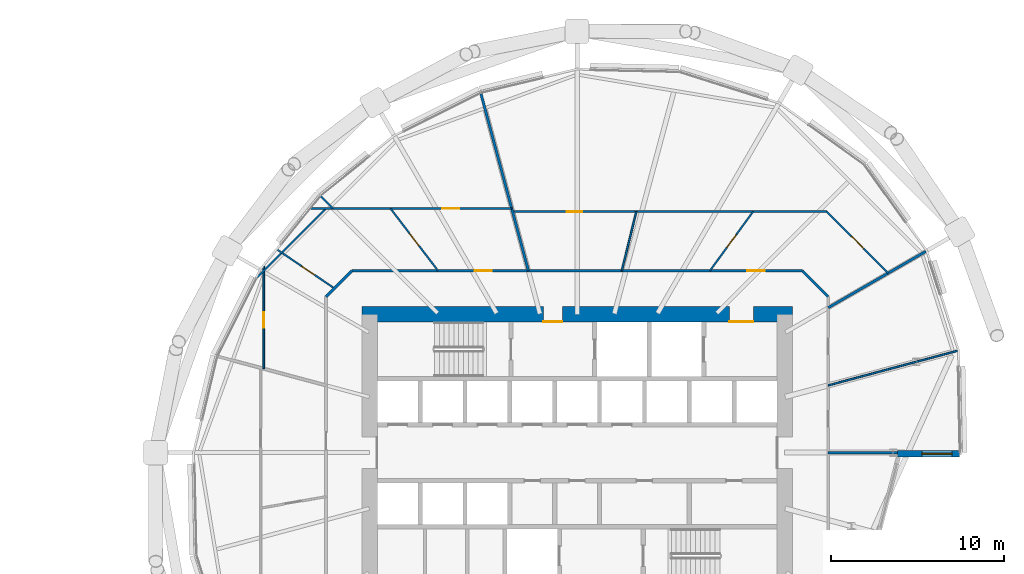
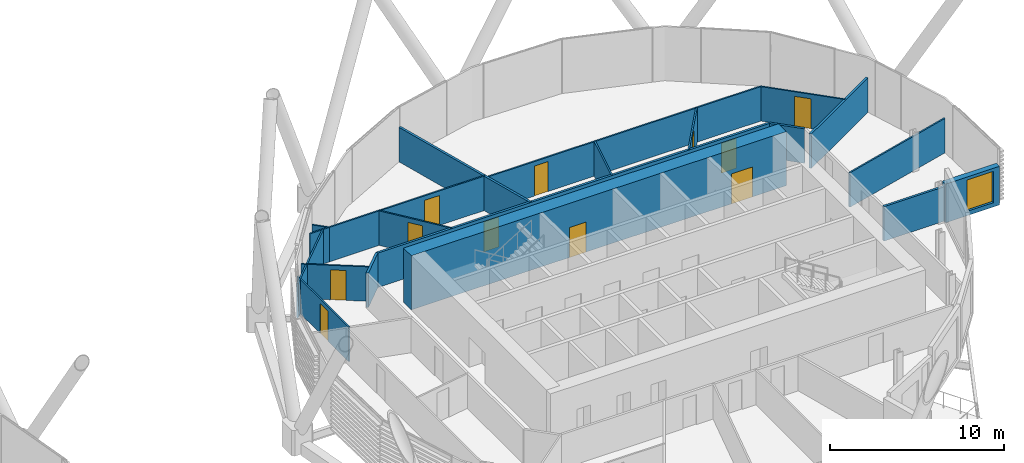
# One storey, part 25 of 36: 20 walls, 11 doors, 1 window, 12 openings.
"""IFC4 building model written with IfcOpenShell, lengths in metres."""

from ifc_helpers import new_model, si_unit, direction, frame, frame_2d, origin, place, context, subcontext, project, spatial, rectangle, extrude, material, layer, layer_set, type_object, element, fill, save


model = new_model("IFC4")

# Units and contexts
model_context = context("Model", 3, precision=1e-05, world=origin(), true_north=direction((0.0, 1.0)))
body_context = subcontext(model_context, "Body", "Model", "MODEL_VIEW")
ifc_project = project(units=[si_unit("LENGTHUNIT", "METRE"), si_unit("AREAUNIT", "SQUARE_METRE"), si_unit("VOLUMEUNIT", "CUBIC_METRE"), si_unit("PLANEANGLEUNIT", "RADIAN"), si_unit("MASSUNIT", "GRAM", prefix="KILO")], contexts=[model_context])

# Site, building, storey
site_placement = place(None, origin())
site = spatial("IfcSite", under=ifc_project, at=site_placement, CompositionType="ELEMENT")
building_placement = place(site_placement, origin())
building = spatial("IfcBuilding", under=site, at=building_placement, Name="Rimbun Link Towers", CompositionType="ELEMENT")
storey_placement = place(building_placement, frame((0.0, 0.0, 64.199951171875)))
storey = spatial("IfcBuildingStorey", under=building, at=storey_placement, Name="L15", CompositionType="ELEMENT", Elevation=64.199951171875)

# Wall, opening, window
ifc_material_1 = material(Name="Dark enamelled glass spandrel on insulated aluminium backpan", Category="aluminium")
ifc_layer_1 = layer(ifc_material_1, 0.3701171875)
ifc_layer_set_1 = layer_set([ifc_layer_1], Name="CS dark enamelled spandrel wall 370")
wall_type_1 = type_object("IfcWallType", Name="CS dark enamelled spandrel wall 370", PredefinedType="STANDARD", material=ifc_layer_set_1)
wall_1_placement = place(storey_placement, frame((53.85888671875, -0.06494140625, 0.0), z_axis=(0.0, 0.0, 1.0), x_axis=(-1.0, 0.0, 0.0)))
wall_1 = element("IfcWall", 1, at=wall_1_placement, inside=storey, type_object=wall_type_1, Name="Crease spandrel wall", PredefinedType="STANDARD", context=body_context, shape_type="SweptSolid", body=[
    extrude(rectangle(XDim=3.579833984375, YDim=0.3701171875, at=frame_2d((1.7900390625, 0.0))), origin(), (0.0, 0.0, 1.0), 2.711669921875),
])
opening_1_placement = place(wall_1_placement, frame((0.41943359375, 0.0, 0.300048828125)))
opening_1 = element("IfcOpeningElement", 2, at=opening_1_placement, cuts=wall_1, Name="Opening WR18H220", PredefinedType="OPENING", context=body_context, shape_type="SweptSolid", body=[
    extrude(rectangle(XDim=1.75, YDim=2.199951171875, at=frame_2d((0.875, 1.10009765625))), frame((0.0, 0.195068359375, 0.0), z_axis=(0.0, -1.0, 0.0), x_axis=(1.0, 0.0, 0.0)), (0.0, 0.0, 1.0), 0.39013671875),
])
ifc_material_2 = material(Name="Aluminium framed fixed window, dark tinted low-e glass", Category="aluminium")
window_type = type_object("IfcWindowType", Name="WR ribbon window 1750X2200", PartitioningType="SINGLE_PANEL", PredefinedType="WINDOW", material=ifc_material_2)
window_placement = place(opening_1_placement, origin())
window = element("IfcWindow", 3, at=window_placement, inside=storey, type_object=window_type, Name="Crease ribbon window", OverallHeight=2.199951171875, OverallWidth=1.75, PartitioningType="SINGLE_PANEL", PredefinedType="WINDOW", context=body_context, shape_type="SweptSolid", body=[
    extrude(rectangle(XDim=1.75, YDim=2.199951171875, at=frame_2d((0.875, 1.10009765625))), frame((0.0, 0.030029296875, 0.0), z_axis=(0.0, -1.0, 0.0), x_axis=(1.0, 0.0, 0.0)), (0.0, 0.0, 1.0), 0.06005859375),
])
fill(opening_1, window)

# Wall, openings, doors
ifc_material_3 = material(Name="Concrete C60/75", Category="concrete")
ifc_layer_2 = layer(ifc_material_3, 0.89990234375)
ifc_layer_set_2 = layer_set([ifc_layer_2], Name="Core shear wall 900")
wall_type_2 = type_object("IfcWallType", Name="Core shear wall 900", PredefinedType="SHEAR", material=ifc_layer_set_2)
wall_2_placement = place(storey_placement, frame((19.300048828125, 8.0, 0.0), z_axis=(0.0, 0.0, 1.0), x_axis=(1.0, 0.0, 0.0)))
wall_2 = element("IfcWall", 4, at=wall_2_placement, inside=storey, type_object=wall_type_2, Name="L15 T2 core wall N", PredefinedType="SHEAR", context=body_context, shape_type="SweptSolid", body=[
    extrude(rectangle(XDim=24.89990234375, YDim=0.89990234375, at=frame_2d((12.449951171875, 0.0))), origin(), (0.0, 0.0, 1.0), 3.800048828125),
])
opening_2_placement = place(wall_2_placement, frame((10.5, 0.0, 0.0)))
opening_2 = element("IfcOpeningElement", 5, at=opening_2_placement, cuts=wall_2, Name="Opening C2DCF01N", PredefinedType="OPENING", context=body_context, shape_type="SweptSolid", body=[
    extrude(rectangle(XDim=1.10009765625, YDim=2.10009765625, at=frame_2d((0.550048828125, 1.050048828125))), frame((0.0, 0.4599609375, 0.0), z_axis=(0.0, -1.0, 0.0), x_axis=(1.0, 0.0, 0.0)), (0.0, 0.0, 1.0), 0.919921875),
])
opening_3_placement = place(wall_2_placement, frame((21.25, 0.0, 0.0)))
opening_3 = element("IfcOpeningElement", 6, at=opening_3_placement, cuts=wall_2, Name="Opening C2DSL02N", PredefinedType="OPENING", context=body_context, shape_type="SweptSolid", body=[
    extrude(rectangle(XDim=1.39990234375, YDim=2.10009765625, at=frame_2d((0.699951171875, 1.050048828125))), frame((0.0, 0.4599609375, 0.0), z_axis=(0.0, -1.0, 0.0), x_axis=(1.0, 0.0, 0.0)), (0.0, 0.0, 1.0), 0.919921875),
])
ifc_material_4 = material(Name="Steel fire door set", Category="steel")
door_type_1 = type_object("IfcDoorType", Name="Core fire door single", OperationType="SINGLE_SWING_LEFT", PredefinedType="DOOR", material=ifc_material_4)
door_1_placement = place(opening_2_placement, origin())
door_1 = element("IfcDoor", 7, at=door_1_placement, inside=storey, type_object=door_type_1, Name="L15 T2 firefighting lobby n door", OperationType="SINGLE_SWING_LEFT", OverallHeight=2.10009765625, OverallWidth=1.10009765625, PredefinedType="DOOR", context=body_context, shape_type="SweptSolid", body=[
    extrude(rectangle(XDim=1.10009765625, YDim=2.10009765625, at=frame_2d((0.550048828125, 1.050048828125))), frame((0.0, -0.39990234375, 0.0), z_axis=(0.0, -1.0, 0.0), x_axis=(1.0, 0.0, 0.0)), (0.0, 0.0, 1.0), 0.050048828125),
])
fill(opening_2, door_1)
ifc_material_5 = material(Name="Steel fire door set", Category="steel")
door_type_2 = type_object("IfcDoorType", Name="Service lobby door double", OperationType="DOUBLE_DOOR_SINGLE_SWING", PredefinedType="DOOR", material=ifc_material_5)
door_2_placement = place(opening_3_placement, origin())
door_2 = element("IfcDoor", 8, at=door_2_placement, inside=storey, type_object=door_type_2, Name="L15 T2 service lobby door", OperationType="DOUBLE_DOOR_SINGLE_SWING", OverallHeight=2.10009765625, OverallWidth=1.39990234375, PredefinedType="DOOR", context=body_context, shape_type="SweptSolid", body=[
    extrude(rectangle(XDim=1.39990234375, YDim=2.10009765625, at=frame_2d((0.699951171875, 1.050048828125))), frame((0.0, -0.39990234375, 0.0), z_axis=(0.0, -1.0, 0.0), x_axis=(1.0, 0.0, 0.0)), (0.0, 0.0, 1.0), 0.050048828125),
])
fill(opening_3, door_2)

ifc_material_6 = material(Name="Plasterboard on steel stud, mineral wool", Category="steel")
ifc_layer_3 = layer(ifc_material_6, 0.14990234375)
ifc_layer_set_3 = layer_set([ifc_layer_3], Name="Corridor wall EI 30 150 mm")
wall_type_3 = type_object("IfcWallType", Name="Corridor wall EI 30 150 mm", PredefinedType="PARTITIONING", material=ifc_layer_set_3)
wall_3_placement = place(storey_placement, frame((18.723388671875, 10.52490234375, 0.0), z_axis=(0.0, 0.0, 1.0), x_axis=(1.0, 0.0, 0.0)))
wall_3 = element("IfcWall", 9, at=wall_3_placement, inside=storey, type_object=wall_type_3, Name="Corridor wall EI 30 150 mm", PredefinedType="PARTITIONING", context=body_context, shape_type="SweptSolid", body=[
    extrude(rectangle(XDim=26.05322265625, YDim=0.14990234375, at=frame_2d((13.026611328125, 0.0))), origin(), (0.0, 0.0, 1.0), 2.420166015625),
])
opening_4_placement = place(wall_3_placement, frame((22.880615234375, 0.0, 0.0)))
opening_4 = element("IfcOpeningElement", 10, at=opening_4_placement, cuts=wall_3, Name="Opening D01", PredefinedType="OPENING", context=body_context, shape_type="SweptSolid", body=[
    extrude(rectangle(XDim=1.0, YDim=2.10009765625, at=frame_2d((0.5, 1.050048828125))), frame((0.0, 0.0849609375, 0.0), z_axis=(0.0, -1.0, 0.0), x_axis=(1.0, 0.0, 0.0)), (0.0, 0.0, 1.0), 0.169921875),
])
opening_5_placement = place(wall_3_placement, frame((7.093994140625, 0.0, 0.0)))
opening_5 = element("IfcOpeningElement", 11, at=opening_5_placement, cuts=wall_3, Name="Opening D01", PredefinedType="OPENING", context=body_context, shape_type="SweptSolid", body=[
    extrude(rectangle(XDim=1.0, YDim=2.10009765625, at=frame_2d((0.5, 1.050048828125))), frame((0.0, 0.0849609375, 0.0), z_axis=(0.0, -1.0, 0.0), x_axis=(1.0, 0.0, 0.0)), (0.0, 0.0, 1.0), 0.169921875),
])
ifc_material_7 = material(Name="Fire-resisting timber door leaf", Category="wood")
door_type_3 = type_object("IfcDoorType", Name="Fire door FD30S 1000", OperationType="NOTDEFINED", PredefinedType="DOOR", material=ifc_material_7)
door_3_placement = place(opening_4_placement, origin())
door_3 = element("IfcDoor", 12, at=door_3_placement, inside=storey, type_object=door_type_3, Name="Fire door FD30S 1000 to Reception", OperationType="SINGLE_SWING_LEFT", OverallHeight=2.10009765625, OverallWidth=1.0, PredefinedType="DOOR", context=body_context, shape_type="SweptSolid", body=[
    extrude(rectangle(XDim=1.0, YDim=2.10009765625, at=frame_2d((0.5, 1.050048828125))), frame((0.0, 0.02490234375, 0.0), z_axis=(0.0, -1.0, 0.0), x_axis=(1.0, 0.0, 0.0)), (0.0, 0.0, 1.0), 0.050048828125),
])
fill(opening_4, door_3)
door_4_placement = place(opening_5_placement, origin())
door_4 = element("IfcDoor", 13, at=door_4_placement, inside=storey, type_object=door_type_3, Name="Fire door FD30S 1000 to Reception", OperationType="SINGLE_SWING_RIGHT", OverallHeight=2.10009765625, OverallWidth=1.0, PredefinedType="DOOR", context=body_context, shape_type="SweptSolid", body=[
    extrude(rectangle(XDim=1.0, YDim=2.10009765625, at=frame_2d((0.5, 1.050048828125))), frame((0.0, 0.02490234375, 0.0), z_axis=(0.0, -1.0, 0.0), x_axis=(1.0, 0.0, 0.0)), (0.0, 0.0, 1.0), 0.050048828125),
])
fill(opening_5, door_4)

# Walls
for number, where, z_axis, x_axis, name in (
    (14, (46.27490234375, 9.026611328125, 0.0), (0.0, 0.0, 1.0), (-0.707106781187, 0.707106781187, 0.0), "Corridor wall EI 30 150 mm"),
    (15, (18.723388671875, 10.52490234375, 0.0), (0.0, 0.0, 1.0), (-0.707106781187, -0.707106781187, 0.0), "Corridor wall EI 30 150 mm"),
):
    element("IfcWall", number, at=place(storey_placement, frame(where, z_axis=z_axis, x_axis=x_axis)), inside=storey, type_object=wall_type_3, Name=name, PredefinedType="PARTITIONING", context=body_context, shape_type="SweptSolid", body=[
        extrude(rectangle(XDim=2.118896484375, YDim=0.14990234375, at=frame_2d((1.0595703125, 0.0))), origin(), (0.0, 0.0, 1.0), 2.420166015625),
    ])
ifc_material_8 = material(Name="Plasterboard on steel stud", Category="steel")
ifc_layer_4 = layer(ifc_material_8, 0.10009765625)
ifc_layer_set_4 = layer_set([ifc_layer_4], Name="Plasterboard partition 100 mm")
wall_type_4 = type_object("IfcWallType", Name="Plasterboard partition 100 mm", PredefinedType="PARTITIONING", material=ifc_layer_set_4)
wall_4_placement = place(storey_placement, frame((53.7548828125, 5.896240234375, 0.0), z_axis=(0.0, 0.0, 1.0), x_axis=(-0.965929194551, -0.25880647425, 0.0)))
element("IfcWall", 16, at=wall_4_placement, inside=storey, type_object=wall_type_4, Name="Plasterboard partition 100 mm", PredefinedType="PARTITIONING", context=body_context, shape_type="SweptSolid", body=[
    extrude(rectangle(XDim=7.743896484375, YDim=0.10009765625, at=frame_2d((3.8720703125, 0.0))), origin(), (0.0, 0.0, 1.0), 2.420166015625),
])

# Wall, opening, door
wall_5_placement = place(storey_placement, frame((39.431396484375, 10.52490234375, 0.0), z_axis=(0.0, 0.0, 1.0), x_axis=(0.589514828759, 0.80775755439, 0.0)))
wall_5 = element("IfcWall", 17, at=wall_5_placement, inside=storey, type_object=wall_type_4, Name="Plasterboard partition 100 mm", PredefinedType="PARTITIONING", context=body_context, shape_type="SweptSolid", body=[
    extrude(rectangle(XDim=4.234130859375, YDim=0.10009765625, at=frame_2d((2.1171875, 0.0))), origin(), (0.0, 0.0, 1.0), 2.420166015625),
])
opening_6_placement = place(wall_5_placement, frame((1.6669921875, 0.0, 0.0)))
opening_6 = element("IfcOpeningElement", 18, at=opening_6_placement, cuts=wall_5, Name="Opening D04", PredefinedType="OPENING", context=body_context, shape_type="SweptSolid", body=[
    extrude(rectangle(XDim=0.89990234375, YDim=2.10009765625, at=frame_2d((0.449951171875, 1.050048828125))), frame((0.0, 0.06005859375, 0.0), z_axis=(0.0, -1.0, 0.0), x_axis=(1.0, 0.0, 0.0)), (0.0, 0.0, 1.0), 0.1201171875),
])
ifc_material_9 = material(Name="Timber door leaf", Category="wood")
door_type_4 = type_object("IfcDoorType", Name="Flush door 900", OperationType="NOTDEFINED", PredefinedType="DOOR", material=ifc_material_9)
door_5_placement = place(opening_6_placement, origin())
door_5 = element("IfcDoor", 19, at=door_5_placement, inside=storey, type_object=door_type_4, Name="Flush door 900 to Meeting room", OperationType="SINGLE_SWING_RIGHT", OverallHeight=2.10009765625, OverallWidth=0.89990234375, PredefinedType="DOOR", context=body_context, shape_type="SweptSolid", body=[
    extrude(rectangle(XDim=0.89990234375, YDim=2.10009765625, at=frame_2d((0.449951171875, 1.050048828125))), frame((0.0, 0.02490234375, 0.0), z_axis=(0.0, -1.0, 0.0), x_axis=(1.0, 0.0, 0.0)), (0.0, 0.0, 1.0), 0.050048828125),
])
fill(opening_6, door_5)

wall_6_placement = place(storey_placement, frame((46.193359375, 13.945068359375, 0.0), z_axis=(0.0, 0.0, 1.0), x_axis=(0.707106781187, -0.707106781187, 0.0)))
wall_6 = element("IfcWall", 20, at=wall_6_placement, inside=storey, type_object=wall_type_4, Name="Plasterboard partition 100 mm", PredefinedType="PARTITIONING", context=body_context, shape_type="SweptSolid", body=[
    extrude(rectangle(XDim=5.0263671875, YDim=0.10009765625, at=frame_2d((2.51318359375, 0.0))), origin(), (0.0, 0.0, 1.0), 2.420166015625),
])
opening_7_placement = place(wall_6_placement, frame((2.01318359375, 0.0, 0.0)))
opening_7 = element("IfcOpeningElement", 21, at=opening_7_placement, cuts=wall_6, Name="Opening D03", PredefinedType="OPENING", context=body_context, shape_type="SweptSolid", body=[
    extrude(rectangle(XDim=1.0, YDim=2.10009765625, at=frame_2d((0.5, 1.050048828125))), frame((0.0, 0.06005859375, 0.0), z_axis=(0.0, -1.0, 0.0), x_axis=(1.0, 0.0, 0.0)), (0.0, 0.0, 1.0), 0.1201171875),
])
ifc_material_10 = material(Name="Timber door leaf", Category="wood")
door_type_5 = type_object("IfcDoorType", Name="Flush door 1000", OperationType="NOTDEFINED", PredefinedType="DOOR", material=ifc_material_10)
door_6_placement = place(opening_7_placement, origin())
door_6 = element("IfcDoor", 22, at=door_6_placement, inside=storey, type_object=door_type_5, Name="Flush door 1000 to Open office", OperationType="SINGLE_SWING_LEFT", OverallHeight=2.10009765625, OverallWidth=1.0, PredefinedType="DOOR", context=body_context, shape_type="SweptSolid", body=[
    extrude(rectangle(XDim=1.0, YDim=2.10009765625, at=frame_2d((0.5, 1.050048828125))), frame((0.0, 0.02490234375, 0.0), z_axis=(0.0, -1.0, 0.0), x_axis=(1.0, 0.0, 0.0)), (0.0, 0.0, 1.0), 0.050048828125),
])
fill(opening_7, door_6)

wall_7_placement = place(storey_placement, frame((46.193359375, 13.945068359375, 0.0), z_axis=(0.0, 0.0, 1.0), x_axis=(-1.0, 0.0, 0.0)))
wall_7 = element("IfcWall", 23, at=wall_7_placement, inside=storey, type_object=wall_type_4, Name="Plasterboard partition 100 mm", PredefinedType="PARTITIONING", context=body_context, shape_type="SweptSolid", body=[
    extrude(rectangle(XDim=18.179931640625, YDim=0.10009765625, at=frame_2d((9.08984375, 0.0))), origin(), (0.0, 0.0, 1.0), 2.420166015625),
])
opening_8_placement = place(wall_7_placement, frame((14.1494140625, 0.0, 0.0)))
opening_8 = element("IfcOpeningElement", 24, at=opening_8_placement, cuts=wall_7, Name="Opening D04", PredefinedType="OPENING", context=body_context, shape_type="SweptSolid", body=[
    extrude(rectangle(XDim=0.89990234375, YDim=2.10009765625, at=frame_2d((0.449951171875, 1.050048828125))), frame((0.0, 0.06005859375, 0.0), z_axis=(0.0, -1.0, 0.0), x_axis=(1.0, 0.0, 0.0)), (0.0, 0.0, 1.0), 0.1201171875),
])
door_7_placement = place(opening_8_placement, origin())
door_7 = element("IfcDoor", 25, at=door_7_placement, inside=storey, type_object=door_type_4, Name="Flush door 900 to Print room", OperationType="SINGLE_SWING_RIGHT", OverallHeight=2.10009765625, OverallWidth=0.89990234375, PredefinedType="DOOR", context=body_context, shape_type="SweptSolid", body=[
    extrude(rectangle(XDim=0.89990234375, YDim=2.10009765625, at=frame_2d((0.449951171875, 1.050048828125))), frame((0.0, 0.02490234375, 0.0), z_axis=(0.0, -1.0, 0.0), x_axis=(1.0, 0.0, 0.0)), (0.0, 0.0, 1.0), 0.050048828125),
])
fill(opening_8, door_7)

# Wall
wall_8_placement = place(storey_placement, frame((35.17431640625, 13.945068359375, 0.0), z_axis=(0.0, 0.0, 1.0), x_axis=(-0.238406590273, -0.971165432722, 0.0)))
element("IfcWall", 26, at=wall_8_placement, inside=storey, type_object=wall_type_4, Name="Plasterboard partition 100 mm", PredefinedType="PARTITIONING", context=body_context, shape_type="SweptSolid", body=[
    extrude(rectangle(XDim=3.521728515625, YDim=0.10009765625, at=frame_2d((1.7607421875, 0.0))), origin(), (0.0, 0.0, 1.0), 2.420166015625),
])

# Wall, opening, door
wall_9_placement = place(storey_placement, frame((23.704833984375, 10.52490234375, 0.0), z_axis=(0.0, 0.0, 1.0), x_axis=(-0.607268103585, 0.794496979458, 0.0)))
wall_9 = element("IfcWall", 27, at=wall_9_placement, inside=storey, type_object=wall_type_4, Name="Plasterboard partition 100 mm", PredefinedType="PARTITIONING", context=body_context, shape_type="SweptSolid", body=[
    extrude(rectangle(XDim=4.53125, YDim=0.10009765625, at=frame_2d((2.265625, 0.0))), origin(), (0.0, 0.0, 1.0), 2.420166015625),
])
opening_9_placement = place(wall_9_placement, frame((1.815673828125, 0.0, 0.0)))
opening_9 = element("IfcOpeningElement", 28, at=opening_9_placement, cuts=wall_9, Name="Opening D04", PredefinedType="OPENING", context=body_context, shape_type="SweptSolid", body=[
    extrude(rectangle(XDim=0.89990234375, YDim=2.10009765625, at=frame_2d((0.449951171875, 1.050048828125))), frame((0.0, 0.06005859375, 0.0), z_axis=(0.0, -1.0, 0.0), x_axis=(1.0, 0.0, 0.0)), (0.0, 0.0, 1.0), 0.1201171875),
])
door_8_placement = place(opening_9_placement, origin())
door_8 = element("IfcDoor", 29, at=door_8_placement, inside=storey, type_object=door_type_4, Name="Flush door 900 to Meeting room", OperationType="SINGLE_SWING_RIGHT", OverallHeight=2.10009765625, OverallWidth=0.89990234375, PredefinedType="DOOR", context=body_context, shape_type="SweptSolid", body=[
    extrude(rectangle(XDim=0.89990234375, YDim=2.10009765625, at=frame_2d((0.449951171875, 1.050048828125))), frame((0.0, 0.02490234375, 0.0), z_axis=(0.0, -1.0, 0.0), x_axis=(1.0, 0.0, 0.0)), (0.0, 0.0, 1.0), 0.050048828125),
])
fill(opening_9, door_8)

wall_10_placement = place(storey_placement, frame((17.625, 14.125, 0.0), z_axis=(0.0, 0.0, 1.0), x_axis=(1.0, 0.0, 0.0)))
wall_10 = element("IfcWall", 30, at=wall_10_placement, inside=storey, type_object=wall_type_4, Name="Plasterboard partition 100 mm", PredefinedType="PARTITIONING", context=body_context, shape_type="SweptSolid", body=[
    extrude(rectangle(XDim=10.340087890625, YDim=0.10009765625, at=frame_2d((5.169921875, 0.0))), origin(), (0.0, 0.0, 1.0), 2.420166015625),
])
opening_10_placement = place(wall_10_placement, frame((6.319091796875, 0.0, 0.0)))
opening_10 = element("IfcOpeningElement", 31, at=opening_10_placement, cuts=wall_10, Name="Opening D03", PredefinedType="OPENING", context=body_context, shape_type="SweptSolid", body=[
    extrude(rectangle(XDim=1.0, YDim=2.10009765625, at=frame_2d((0.5, 1.050048828125))), frame((0.0, 0.06005859375, 0.0), z_axis=(0.0, -1.0, 0.0), x_axis=(1.0, 0.0, 0.0)), (0.0, 0.0, 1.0), 0.1201171875),
])
door_9_placement = place(opening_10_placement, origin())
door_9 = element("IfcDoor", 32, at=door_9_placement, inside=storey, type_object=door_type_5, Name="Flush door 1000 to Co-working space", OperationType="SINGLE_SWING_LEFT", OverallHeight=2.10009765625, OverallWidth=1.0, PredefinedType="DOOR", context=body_context, shape_type="SweptSolid", body=[
    extrude(rectangle(XDim=1.0, YDim=2.10009765625, at=frame_2d((0.5, 1.050048828125))), frame((0.0, 0.02490234375, 0.0), z_axis=(0.0, -1.0, 0.0), x_axis=(1.0, 0.0, 0.0)), (0.0, 0.0, 1.0), 0.050048828125),
])
fill(opening_10, door_9)

wall_11_placement = place(storey_placement, frame((17.706787109375, 9.50830078125, 0.0), z_axis=(0.0, 0.0, 1.0), x_axis=(-0.82805052716, 0.560653479851, 0.0)))
wall_11 = element("IfcWall", 33, at=wall_11_placement, inside=storey, type_object=wall_type_4, Name="Plasterboard partition 100 mm", PredefinedType="PARTITIONING", context=body_context, shape_type="SweptSolid", body=[
    extrude(rectangle(XDim=3.99365234375, YDim=0.10009765625, at=frame_2d((1.996826171875, 0.0))), origin(), (0.0, 0.0, 1.0), 2.420166015625),
])
opening_11_placement = place(wall_11_placement, frame((1.383056640625, 0.0, 0.0)))
opening_11 = element("IfcOpeningElement", 34, at=opening_11_placement, cuts=wall_11, Name="Opening D04", PredefinedType="OPENING", context=body_context, shape_type="SweptSolid", body=[
    extrude(rectangle(XDim=0.89990234375, YDim=2.10009765625, at=frame_2d((0.449951171875, 1.050048828125))), frame((0.0, 0.06005859375, 0.0), z_axis=(0.0, -1.0, 0.0), x_axis=(1.0, 0.0, 0.0)), (0.0, 0.0, 1.0), 0.1201171875),
])
door_10_placement = place(opening_11_placement, origin())
door_10 = element("IfcDoor", 35, at=door_10_placement, inside=storey, type_object=door_type_4, Name="Flush door 900 to Pantry", OperationType="SINGLE_SWING_RIGHT", OverallHeight=2.10009765625, OverallWidth=0.89990234375, PredefinedType="DOOR", context=body_context, shape_type="SweptSolid", body=[
    extrude(rectangle(XDim=0.89990234375, YDim=2.10009765625, at=frame_2d((0.449951171875, 1.050048828125))), frame((0.0, 0.02490234375, 0.0), z_axis=(0.0, -1.0, 0.0), x_axis=(1.0, 0.0, 0.0)), (0.0, 0.0, 1.0), 0.050048828125),
])
fill(opening_11, door_10)

# Walls
wall_12_placement = place(storey_placement, frame((13.237548828125, 10.130615234375, 0.0), z_axis=(0.0, 0.0, 1.0), x_axis=(0.707128389718, 0.707085171995, 0.0)))
element("IfcWall", 36, at=wall_12_placement, inside=storey, type_object=wall_type_4, Name="Plasterboard partition 100 mm", PredefinedType="PARTITIONING", context=body_context, shape_type="SweptSolid", body=[
    extrude(rectangle(XDim=5.649169921875, YDim=0.10009765625, at=frame_2d((2.82470703125, 0.0))), origin(), (0.0, 0.0, 1.0), 2.420166015625),
])
wall_13_placement = place(storey_placement, frame((17.625, 14.125, 0.0), z_axis=(0.0, 0.0, 1.0), x_axis=(-1.0, 0.0, 0.0)))
element("IfcWall", 37, at=wall_13_placement, inside=storey, type_object=wall_type_4, Name="Plasterboard partition 100 mm", PredefinedType="PARTITIONING", context=body_context, shape_type="SweptSolid", body=[
    extrude(rectangle(XDim=1.296142578125, YDim=0.10009765625, at=frame_2d((0.64794921875, 0.0))), origin(), (0.0, 0.0, 1.0), 2.420166015625),
])

# Wall, opening, door
wall_14_placement = place(storey_placement, frame((13.625, 4.856689453125, 0.0), z_axis=(0.0, 0.0, 1.0), x_axis=(0.0, 1.0, 0.0)))
wall_14 = element("IfcWall", 38, at=wall_14_placement, inside=storey, type_object=wall_type_4, Name="Plasterboard partition 100 mm", PredefinedType="PARTITIONING", context=body_context, shape_type="SweptSolid", body=[
    extrude(rectangle(XDim=5.92431640625, YDim=0.10009765625, at=frame_2d((2.962158203125, 0.0))), origin(), (0.0, 0.0, 1.0), 2.420166015625),
])
opening_12_placement = place(wall_14_placement, frame((2.380615234375, 0.0, 0.0)))
opening_12 = element("IfcOpeningElement", 39, at=opening_12_placement, cuts=wall_14, Name="Opening D04", PredefinedType="OPENING", context=body_context, shape_type="SweptSolid", body=[
    extrude(rectangle(XDim=0.89990234375, YDim=2.10009765625, at=frame_2d((0.449951171875, 1.050048828125))), frame((0.0, 0.06005859375, 0.0), z_axis=(0.0, -1.0, 0.0), x_axis=(1.0, 0.0, 0.0)), (0.0, 0.0, 1.0), 0.1201171875),
])
door_11_placement = place(opening_12_placement, origin())
door_11 = element("IfcDoor", 40, at=door_11_placement, inside=storey, type_object=door_type_4, Name="Flush door 900 to Serviced office", OperationType="SINGLE_SWING_LEFT", OverallHeight=2.10009765625, OverallWidth=0.89990234375, PredefinedType="DOOR", context=body_context, shape_type="SweptSolid", body=[
    extrude(rectangle(XDim=0.89990234375, YDim=2.10009765625, at=frame_2d((0.449951171875, 1.050048828125))), frame((0.0, 0.02490234375, 0.0), z_axis=(0.0, -1.0, 0.0), x_axis=(1.0, 0.0, 0.0)), (0.0, 0.0, 1.0), 0.050048828125),
])
fill(opening_12, door_11)

# Walls
wall_15_placement = place(storey_placement, frame((16.9169921875, 14.8330078125, 0.0), z_axis=(0.0, 0.0, 1.0), x_axis=(0.707106781187, -0.707106781187, 0.0)))
element("IfcWall", 41, at=wall_15_placement, inside=storey, type_object=wall_type_4, Name="Plasterboard partition 100 mm", PredefinedType="PARTITIONING", context=body_context, shape_type="SweptSolid", body=[
    extrude(rectangle(XDim=1.001220703125, YDim=0.10009765625, at=frame_2d((0.50048828125, 0.0))), origin(), (0.0, 0.0, 1.0), 2.420166015625),
])
ifc_material_11 = material(Name="Plasterboard on steel stud, mineral wool", Category="steel")
ifc_layer_5 = layer(ifc_material_11, 0.14990234375)
ifc_layer_set_5 = layer_set([ifc_layer_5], Name="Tenancy separation wall EI 60 150 mm")
wall_type_5 = type_object("IfcWallType", Name="Tenancy separation wall EI 60 150 mm", PredefinedType="PARTITIONING", material=ifc_layer_set_5)
wall_16_placement = place(storey_placement, frame((28.9296875, 10.52490234375, 0.0), z_axis=(0.0, 0.0, 1.0), x_axis=(-0.25881565151, 0.965926735593, 0.0)))
element("IfcWall", 42, at=wall_16_placement, inside=storey, type_object=wall_type_5, Name="Tenancy separation wall EI 60 150 mm", PredefinedType="PARTITIONING", context=body_context, shape_type="SweptSolid", body=[
    extrude(rectangle(XDim=10.6337890625, YDim=0.14990234375, at=frame_2d((5.31689453125, 0.0))), origin(), (0.0, 0.0, 1.0), 2.420166015625),
])
wall_17_placement = place(storey_placement, frame((46.27490234375, 0.0, 0.0), z_axis=(0.0, 0.0, 1.0), x_axis=(1.0, 0.0, 0.0)))
element("IfcWall", 43, at=wall_17_placement, inside=storey, type_object=wall_type_5, Name="Tenancy separation wall EI 60 150 mm", PredefinedType="PARTITIONING", context=body_context, shape_type="SweptSolid", body=[
    extrude(rectangle(XDim=4.004150390625, YDim=0.14990234375, at=frame_2d((2.001953125, 0.0))), origin(), (0.0, 0.0, 1.0), 2.420166015625),
])
wall_18_placement = place(storey_placement, frame((46.27490234375, 8.385986328125, 0.0), z_axis=(0.0, 0.0, 1.0), x_axis=(0.866037911478, 0.499978335414, 0.0)))
element("IfcWall", 44, at=wall_18_placement, inside=storey, type_object=wall_type_5, Name="Tenancy separation wall EI 60 150 mm", PredefinedType="PARTITIONING", context=body_context, shape_type="SweptSolid", body=[
    extrude(rectangle(XDim=6.524658203125, YDim=0.14990234375, at=frame_2d((3.26220703125, 0.0))), origin(), (0.0, 0.0, 1.0), 2.420166015625),
])

save(model, "model.ifc")
